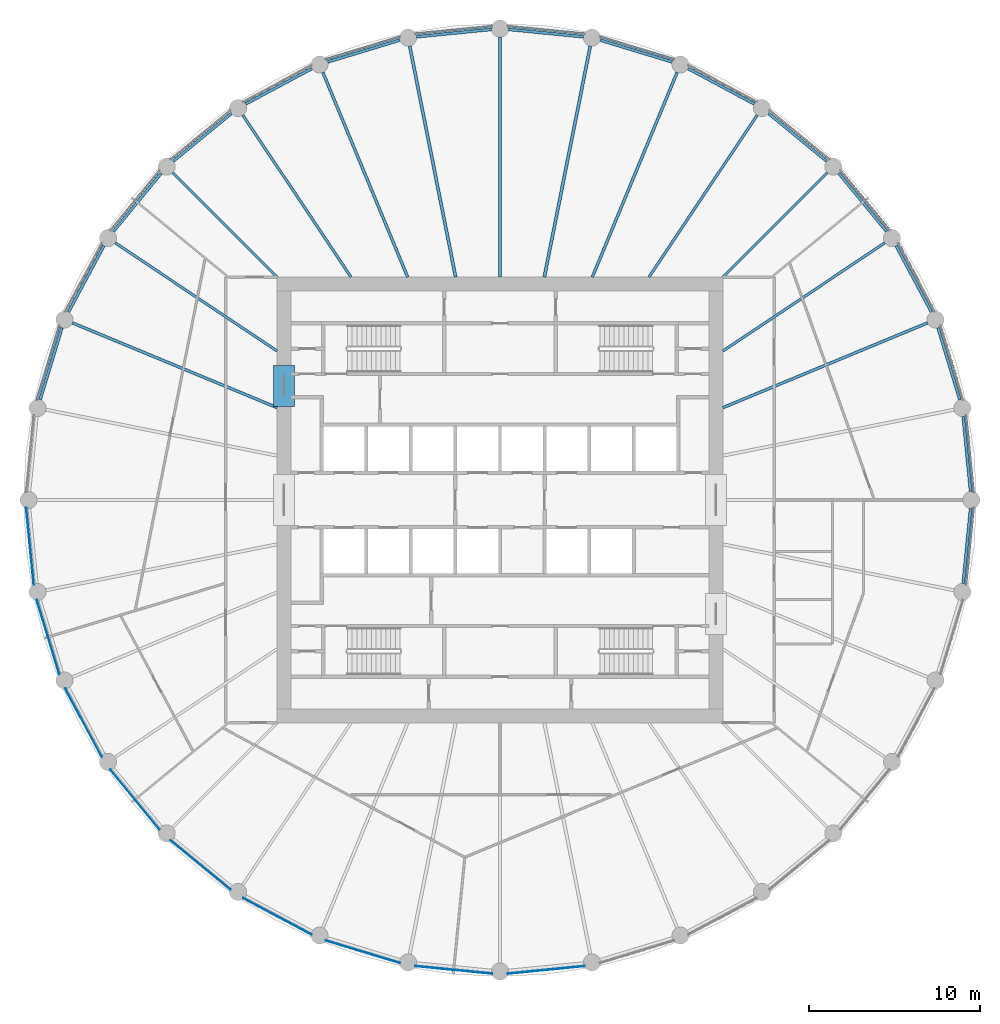
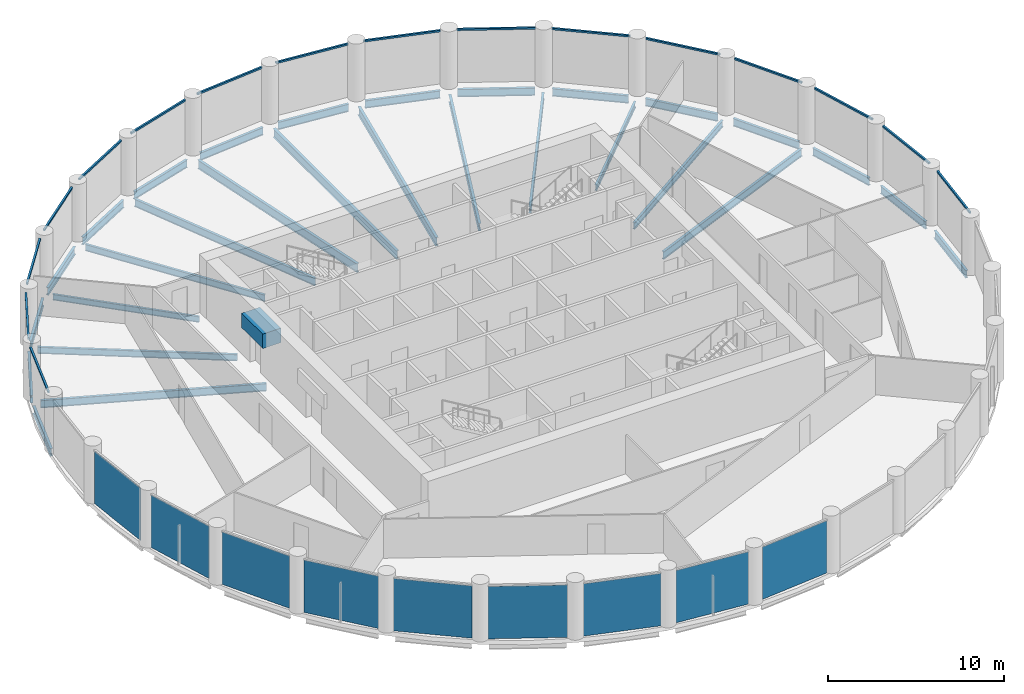
# One storey, part 2 of 8: 30 beams, 16 members, 9 plates, 25 elements without a shape of their own.
"""IFC4 building model written with IfcOpenShell, lengths in metres."""

import ifcopenshell
import ifcopenshell.guid

model = None  # the IFC model being written
_history = None  # IfcOwnerHistory: only IFC2X3 demands one
_inside = {}  # id of a spatial element -> (the spatial element, [elements in it])
_under = {}  # id of a project, library or spatial element -> (it, [spatial elements below it])
_declared = {}  # id of a project -> (the project, [libraries it declares])
_typed = {}  # id of a type object -> (the type object, [elements of that type])
_made_of = {}  # id of a material, layer set ... -> (it, [elements and type objects made of it])


def new_model(schema):
    """Start an empty IFC model of exactly this schema.

    Asked for "IFC4X3", IfcOpenShell would pick the latest addendum, in which some entities
    have other attributes; the version numbers below select the first issue.
    IFC2X3 requires an IfcOwnerHistory on every rooted entity: one is made here for all.
    """
    global model, _history
    if schema == "IFC4X3":
        model = ifcopenshell.file(schema_version=(4, 3, 0, 0))
    else:
        model = ifcopenshell.file(schema=schema)
    _inside.clear()
    _under.clear()
    _declared.clear()
    _typed.clear()
    _made_of.clear()
    _history = None
    if model.schema == "IFC2X3":
        org = make("IfcOrganization", Name="unknown")
        user = make(
            "IfcPersonAndOrganization",
            ThePerson=make("IfcPerson", FamilyName="unknown"),
            TheOrganization=org,
        )
        app = make(
            "IfcApplication",
            ApplicationDeveloper=org,
            Version="unknown",
            ApplicationFullName="unknown",
            ApplicationIdentifier="unknown",
        )
        _history = make(
            "IfcOwnerHistory",
            OwningUser=user,
            OwningApplication=app,
            ChangeAction="ADDED",
            CreationDate=0,
        )
    return model


def make(cls, **values):
    """One entity of the class cls with the attributes given. An attribute that is None is left unset."""
    return model.create_entity(
        cls, **{name: value for name, value in values.items() if value is not None}
    )


def rooted(cls, **values):
    """An entity with a GlobalId (a new one), such as an element, a storey or a relation."""
    return make(cls, GlobalId=ifcopenshell.guid.new(), OwnerHistory=_history, **values)


def si_unit(unit_type, name, prefix=None):
    """IfcSIUnit, for example si_unit("LENGTHUNIT", "METRE", prefix="MILLI")."""
    return make("IfcSIUnit", UnitType=unit_type, Prefix=prefix, Name=name)


def assignment(units):
    """IfcUnitAssignment: the units of a project."""
    return None if units is None else make("IfcUnitAssignment", Units=units)


def point(xyz):
    """IfcCartesianPoint."""
    return None if xyz is None else make("IfcCartesianPoint", Coordinates=xyz)


def direction(xyz):
    """IfcDirection."""
    return None if xyz is None else make("IfcDirection", DirectionRatios=xyz)


def frame(location, z_axis=None, x_axis=None):
    """IfcAxis2Placement3D, a coordinate frame: its origin and axes. An axis left out is left unset."""
    return make(
        "IfcAxis2Placement3D",
        Location=point(location),
        Axis=direction(z_axis),
        RefDirection=direction(x_axis),
    )


def frame_2d(location, x_axis=None):
    """IfcAxis2Placement2D, a coordinate frame in the plane: its origin and x axis."""
    return make(
        "IfcAxis2Placement2D", Location=point(location), RefDirection=direction(x_axis)
    )


def origin():
    """The frame at (0, 0, 0) with its axes left unset."""
    return frame((0.0, 0.0, 0.0))


def origin_2d():
    """The frame at (0, 0) in the plane with its x axis left unset."""
    return frame_2d((0.0, 0.0))


def place(relative_to, where):
    """IfcLocalPlacement: puts the frame where relative to a parent placement (None: the world)."""
    return make(
        "IfcLocalPlacement", PlacementRelTo=relative_to, RelativePlacement=where
    )


def context(
    kind, dimensions, precision=None, world=None, true_north=None, identifier=None
):
    """IfcGeometricRepresentationContext, for example the 3D "Model" context."""
    return make(
        "IfcGeometricRepresentationContext",
        ContextIdentifier=identifier,
        ContextType=kind,
        CoordinateSpaceDimension=dimensions,
        Precision=precision,
        WorldCoordinateSystem=world,
        TrueNorth=true_north,
    )


def subcontext(parent, identifier, kind, view, scale=None):
    """IfcGeometricRepresentationSubContext, for example "Body" below "Model"."""
    return make(
        "IfcGeometricRepresentationSubContext",
        ContextIdentifier=identifier,
        ContextType=kind,
        ParentContext=parent,
        TargetScale=scale,
        TargetView=view,
    )


def project(units=None, contexts=None):
    """IfcProject with its units and contexts."""
    return rooted(
        "IfcProject",
        Name="project",
        RepresentationContexts=contexts,
        UnitsInContext=assignment(units),
    )


def spatial(cls, under=None, at=None, **own):
    """A site, building, storey or space (cls), placed at a placement, below another one or the project."""
    s = rooted(cls, ObjectPlacement=at, **own)
    if under is not None:
        _under.setdefault(under.id(), (under, []))[1].append(s)
    return s


def profile(cls, at=None, kind="AREA", **sizes):
    """A parametric profile (cls). Its sizes go by their IFC names, for example OverallWidth=200.0."""
    return make(cls, ProfileType=kind, Position=at, **sizes)


def rectangle(**sizes):
    """IfcRectangleProfileDef."""
    return profile("IfcRectangleProfileDef", **sizes)


def i_section(**sizes):
    """IfcIShapeProfileDef."""
    return profile("IfcIShapeProfileDef", **sizes)


def extrude(swept, where, along, depth):
    """IfcExtrudedAreaSolid: the profile swept, set in the frame where, extruded along a direction by depth."""
    return make(
        "IfcExtrudedAreaSolid",
        SweptArea=swept,
        Position=where,
        ExtrudedDirection=direction(along),
        Depth=depth,
    )


def shape(context_of_items, identifier, shape_type, items):
    """IfcShapeRepresentation: the items that make up one representation, for example the "Body"."""
    return make(
        "IfcShapeRepresentation",
        ContextOfItems=context_of_items,
        RepresentationIdentifier=identifier,
        RepresentationType=shape_type,
        Items=items,
    )


def material(Name=None, Category=None):
    """IfcMaterial."""
    return make("IfcMaterial", Name=Name, Category=Category)


def layer(
    of_material, thickness, ventilated=None, Name=None, Category=None, Priority=None
):
    """IfcMaterialLayer: one layer of a wall or slab, of a material (None: an air gap)."""
    return make(
        "IfcMaterialLayer",
        Material=of_material,
        LayerThickness=thickness,
        IsVentilated=ventilated,
        Name=Name,
        Category=Category,
        Priority=Priority,
    )


def layer_set(layers, Name=None):
    """IfcMaterialLayerSet."""
    return make("IfcMaterialLayerSet", MaterialLayers=layers, LayerSetName=Name)


def material_profile(
    of_material, cross_section, Name=None, Category=None, Priority=None
):
    """IfcMaterialProfile: a cross section and its material."""
    return make(
        "IfcMaterialProfile",
        Name=Name,
        Material=of_material,
        Profile=cross_section,
        Priority=Priority,
        Category=Category,
    )


def profile_set(profiles, Name=None, composite=None):
    """IfcMaterialProfileSet."""
    return make(
        "IfcMaterialProfileSet",
        Name=Name,
        MaterialProfiles=profiles,
        CompositeProfile=composite,
    )


def made_of(thing, what):
    """Note that an element or type object is made of a material, layer set ...; save() writes the relation."""
    if what is not None:
        _made_of.setdefault(what.id(), (what, []))[1].append(thing)
    return thing


def type_object(cls, material=None, **own):
    """A type object (cls), such as IfcWallType, which elements share."""
    return made_of(rooted(cls, **own), material)


def element(
    cls,
    number,
    at=None,
    inside=None,
    cuts=None,
    type_object=None,
    material=None,
    context=None,
    identifier="Body",
    shape_type=None,
    held_by="IfcProductDefinitionShape",
    body=None,
    shapes=None,
    **own,
):
    """One element of the class cls, such as IfcWall. Its Tag is "e" and its number.

    at: its placement. inside: the storey or other place that contains it. cuts: it is an
    opening in that element (IfcRelVoidsElement). A single representation is given by context,
    identifier, shape_type and body (its items); several are given by shapes. held_by: the class
    of the entity that holds the representations. save() writes the other relations.
    """
    e = rooted(cls, Tag="e%d" % number, ObjectPlacement=at, **own)
    if body is not None:
        shapes = [shape(context, identifier, shape_type, body)]
    if shapes is not None:
        e.Representation = make(held_by, Representations=shapes)
    if inside is not None:
        _inside.setdefault(inside.id(), (inside, []))[1].append(e)
    if cuts is not None:
        rooted(
            "IfcRelVoidsElement", RelatingBuildingElement=cuts, RelatedOpeningElement=e
        )
    if type_object is not None:
        _typed.setdefault(type_object.id(), (type_object, []))[1].append(e)
    return made_of(e, material)


def aggregate(whole, parts):
    """IfcRelAggregates: a whole, such as a stair, and the parts it consists of."""
    return rooted("IfcRelAggregates", RelatingObject=whole, RelatedObjects=parts)


def save(model, path):
    """Write the relations noted so far, then the file.

    IfcRelAggregates (storeys below a building ...), IfcRelContainedInSpatialStructure (elements
    in a storey), IfcRelDefinesByType, IfcRelAssociatesMaterial and IfcRelDeclares: one each for
    every whole, place, type object, material and project.
    """
    for whole, parts in _under.values():
        aggregate(whole, parts)
    for where, things in _inside.values():
        rooted(
            "IfcRelContainedInSpatialStructure",
            RelatedElements=things,
            RelatingStructure=where,
        )
    for kind, things in _typed.values():
        rooted("IfcRelDefinesByType", RelatedObjects=things, RelatingType=kind)
    for what, things in _made_of.values():
        rooted("IfcRelAssociatesMaterial", RelatedObjects=things, RelatingMaterial=what)
    for by, libraries in _declared.values():
        rooted("IfcRelDeclares", RelatingContext=by, RelatedDefinitions=libraries)
    model.write(path)


model = new_model("IFC4")

# Units and contexts
model_context = context("Model", 3, precision=1e-05, world=origin(), true_north=direction((0.0, 1.0)))
body_context = subcontext(model_context, "Body", "Model", "MODEL_VIEW")
ifc_project = project(units=[si_unit("LENGTHUNIT", "METRE"), si_unit("AREAUNIT", "SQUARE_METRE"), si_unit("VOLUMEUNIT", "CUBIC_METRE"), si_unit("PLANEANGLEUNIT", "RADIAN"), si_unit("MASSUNIT", "GRAM", prefix="KILO")], contexts=[model_context])

# Site, building, storey
site_placement = place(None, origin())
site = spatial("IfcSite", under=ifc_project, at=site_placement, CompositionType="ELEMENT")
building_placement = place(site_placement, origin())
building = spatial("IfcBuilding", under=site, at=building_placement, Name="Corvane Civic Tower", CompositionType="ELEMENT")
storey_placement = place(building_placement, frame((0.0, 0.0, 209.5)))
storey = spatial("IfcBuildingStorey", under=building, at=storey_placement, Name="L49", CompositionType="ELEMENT", Elevation=209.5)

# Beams
ifc_material_1 = material(Name="Concrete C50/60", Category="concrete")
ifc_material_profile_1 = material_profile(ifc_material_1, rectangle(XDim=1.199951171875, YDim=1.0, at=origin_2d()), Name="COUPLING BEAM 1200X1000")
ifc_profile_set_1 = profile_set([ifc_material_profile_1], Name="Concrete C50/60")
beam_type_1 = type_object("IfcBeamType", Name="COUPLING BEAM COUPLING BEAM 1200X1000", PredefinedType="BEAM", material=ifc_profile_set_1)
beam_1_placement = place(storey_placement, frame((-12.60009765625, 5.449951171875, 2.60009765625), z_axis=(0.0, 1.0, 0.0), x_axis=(-1.0, 0.0, 0.0)))
element("IfcBeam", 1, at=beam_1_placement, inside=storey, type_object=beam_type_1, Name="BM-L49-cpl-CW-WN", PredefinedType="BEAM", context=body_context, shape_type="SweptSolid", body=[
    extrude(rectangle(XDim=1.199951171875, YDim=1.0, at=origin_2d()), origin(), (0.0, 0.0, 1.0), 2.400146484375),
])
ifc_material_2 = material(Name="Steel ASTM A992 Gr 50", Category="steel")
ifc_material_profile_2 = material_profile(ifc_material_2, i_section(OverallWidth=0.165771484375, OverallDepth=0.5283203125, WebThickness=0.009765625, FlangeThickness=0.013671875, at=origin_2d()), Name="W21X50")
ifc_profile_set_2 = profile_set([ifc_material_profile_2], Name="Steel ASTM A992 Gr 50")
beam_type_2 = type_object("IfcBeamType", Name="EDGE BEAM W21X50", PredefinedType="BEAM", material=ifc_profile_set_2)
beam_2_placement = place(storey_placement, frame((0.49755859375, 27.450927734375, -0.564208984375), z_axis=(0.995189593769, -0.097967711281, 0.0), x_axis=(0.097967711281, 0.995189593769, 0.0)))
element("IfcBeam", 2, at=beam_2_placement, inside=storey, type_object=beam_type_2, Name="BM-L49-E01", PredefinedType="BEAM", context=body_context, shape_type="SweptSolid", body=[
    extrude(i_section(OverallWidth=0.165771484375, OverallDepth=0.5283203125, WebThickness=0.009765625, FlangeThickness=0.013671875, at=origin_2d()), origin(), (0.0, 0.0, 1.0), 4.39111328125),
])
beam_3_placement = place(storey_placement, frame((5.843505859375, 26.826416015625, -0.564208984375), z_axis=(0.956949547653, -0.290254307888, 0.0), x_axis=(0.290254307888, 0.956949547653, 0.0)))
element("IfcBeam", 3, at=beam_3_placement, inside=storey, type_object=beam_type_2, Name="BM-L49-E02", PredefinedType="BEAM", context=body_context, shape_type="SweptSolid", body=[
    extrude(i_section(OverallWidth=0.165771484375, OverallDepth=0.5283203125, WebThickness=0.009765625, FlangeThickness=0.013671875, at=origin_2d()), origin(), (0.0, 0.0, 1.0), 4.390625),
])
for number, where, z_axis, x_axis, name in (
    (4, (10.964599609375, 25.171142578125, -0.564208984375), (0.881907756852, -0.471422006704, 0.0), (0.471422006704, 0.881907756852, 0.0), "BM-L49-E03"),
    (5, (15.66455078125, 22.54833984375, -0.564208984375), (0.773030026524, -0.634369433447, 0.0), (0.634369433447, 0.773030026524, 0.0), "BM-L49-E04"),
    (6, (19.7626953125, 19.05908203125, -0.564208984375), (0.634369433447, -0.773030026524, 0.0), (0.773030026524, 0.634369433447, 0.0), "BM-L49-E05"),
    (7, (23.10107421875, 14.837158203125, -0.564208984375), (0.471422006704, -0.881907756852, 0.0), (0.881907756852, 0.471422006704, 0.0), "BM-L49-E06"),
):
    element("IfcBeam", number, at=place(storey_placement, frame(where, z_axis=z_axis, x_axis=x_axis)), inside=storey, type_object=beam_type_2, Name=name, PredefinedType="BEAM", context=body_context, shape_type="SweptSolid", body=[
        extrude(i_section(OverallWidth=0.165771484375, OverallDepth=0.5283203125, WebThickness=0.009765625, FlangeThickness=0.013671875, at=origin_2d()), origin(), (0.0, 0.0, 1.0), 4.39111328125),
    ])
beam_4_placement = place(storey_placement, frame((25.552001953125, 10.045166015625, -0.564208984375), z_axis=(0.290254307888, -0.956949547653, 0.0), x_axis=(0.956949547653, 0.290254307888, 0.0)))
element("IfcBeam", 8, at=beam_4_placement, inside=storey, type_object=beam_type_2, Name="BM-L49-E07", PredefinedType="BEAM", context=body_context, shape_type="SweptSolid", body=[
    extrude(i_section(OverallWidth=0.165771484375, OverallDepth=0.5283203125, WebThickness=0.009765625, FlangeThickness=0.013671875, at=origin_2d()), origin(), (0.0, 0.0, 1.0), 4.390625),
])
for number, where, z_axis, x_axis, name in (
    (9, (27.020751953125, 4.867431640625, -0.564208984375), (0.097967711281, -0.995189593769, 0.0), (0.995189593769, 0.097967711281, 0.0), "BM-L49-E08"),
    (10, (27.450927734375, -0.49755859375, -0.564208984375), (-0.097967711281, -0.995189593769, 0.0), (0.995189593769, -0.097967711281, 0.0), "BM-L49-E09"),
):
    element("IfcBeam", number, at=place(storey_placement, frame(where, z_axis=z_axis, x_axis=x_axis)), inside=storey, type_object=beam_type_2, Name=name, PredefinedType="BEAM", context=body_context, shape_type="SweptSolid", body=[
        extrude(i_section(OverallWidth=0.165771484375, OverallDepth=0.5283203125, WebThickness=0.009765625, FlangeThickness=0.013671875, at=origin_2d()), origin(), (0.0, 0.0, 1.0), 4.39111328125),
    ])
beam_5_placement = place(storey_placement, frame((-26.826416015625, 5.843505859375, -0.564208984375), z_axis=(0.290254307888, 0.956949547653, 0.0), x_axis=(-0.956949547653, 0.290254307888, 0.0)))
element("IfcBeam", 11, at=beam_5_placement, inside=storey, type_object=beam_type_2, Name="BM-L49-E26", PredefinedType="BEAM", context=body_context, shape_type="SweptSolid", body=[
    extrude(i_section(OverallWidth=0.165771484375, OverallDepth=0.5283203125, WebThickness=0.009765625, FlangeThickness=0.013671875, at=origin_2d()), origin(), (0.0, 0.0, 1.0), 4.390625),
])
for number, where, z_axis, x_axis, name in (
    (12, (-25.171142578125, 10.964599609375, -0.564208984375), (0.471422006704, 0.881907756852, 0.0), (-0.881907756852, 0.471422006704, 0.0), "BM-L49-E27"),
    (13, (-22.54833984375, 15.66455078125, -0.564208984375), (0.634369433447, 0.773030026524, 0.0), (-0.773030026524, 0.634369433447, 0.0), "BM-L49-E28"),
    (14, (-19.05908203125, 19.7626953125, -0.564208984375), (0.773030026524, 0.634369433447, 0.0), (-0.634369433447, 0.773030026524, 0.0), "BM-L49-E29"),
    (15, (-14.837158203125, 23.10107421875, -0.564208984375), (0.881907756852, 0.471422006704, 0.0), (-0.471422006704, 0.881907756852, 0.0), "BM-L49-E30"),
):
    element("IfcBeam", number, at=place(storey_placement, frame(where, z_axis=z_axis, x_axis=x_axis)), inside=storey, type_object=beam_type_2, Name=name, PredefinedType="BEAM", context=body_context, shape_type="SweptSolid", body=[
        extrude(i_section(OverallWidth=0.165771484375, OverallDepth=0.5283203125, WebThickness=0.009765625, FlangeThickness=0.013671875, at=origin_2d()), origin(), (0.0, 0.0, 1.0), 4.39111328125),
    ])
beam_6_placement = place(storey_placement, frame((-10.045166015625, 25.552001953125, -0.564208984375), z_axis=(0.956949547653, 0.290254307888, 0.0), x_axis=(-0.290254307888, 0.956949547653, 0.0)))
element("IfcBeam", 16, at=beam_6_placement, inside=storey, type_object=beam_type_2, Name="BM-L49-E31", PredefinedType="BEAM", context=body_context, shape_type="SweptSolid", body=[
    extrude(i_section(OverallWidth=0.165771484375, OverallDepth=0.5283203125, WebThickness=0.009765625, FlangeThickness=0.013671875, at=origin_2d()), origin(), (0.0, 0.0, 1.0), 4.390625),
])
beam_7_placement = place(storey_placement, frame((-4.867431640625, 27.020751953125, -0.564208984375), z_axis=(0.995189593769, 0.097967711281, 0.0), x_axis=(-0.097967711281, 0.995189593769, 0.0)))
element("IfcBeam", 17, at=beam_7_placement, inside=storey, type_object=beam_type_2, Name="BM-L49-E32", PredefinedType="BEAM", context=body_context, shape_type="SweptSolid", body=[
    extrude(i_section(OverallWidth=0.165771484375, OverallDepth=0.5283203125, WebThickness=0.009765625, FlangeThickness=0.013671875, at=origin_2d()), origin(), (0.0, 0.0, 1.0), 4.39111328125),
])
ifc_material_3 = material(Name="Steel ASTM A992 Gr 50", Category="steel")
ifc_material_profile_3 = material_profile(ifc_material_3, i_section(OverallWidth=0.140380859375, OverallDepth=0.40380859375, WebThickness=0.007080078125, FlangeThickness=0.01123046875, at=origin_2d()), Name="W16X31")
ifc_profile_set_3 = profile_set([ifc_material_profile_3], Name="Steel ASTM A992 Gr 50")
beam_type_3 = type_object("IfcBeamType", Name="FLOOR GIRDER W16X31", PredefinedType="BEAM", material=ifc_profile_set_3)
for number, where, z_axis, x_axis, name in (
    (18, (13.0, 13.0, -0.501953125), (0.707106781187, 0.707106781187, 0.0), (-0.707106781187, 0.707106781187, 0.0), "BM-L49-G05"),
    (19, (-13.0, 13.0, -0.501953125), (-0.707106781187, 0.707106781187, 0.0), (-0.707106781187, -0.707106781187, 0.0), "BM-L49-G29"),
):
    element("IfcBeam", number, at=place(storey_placement, frame(where, z_axis=z_axis, x_axis=x_axis)), inside=storey, type_object=beam_type_3, Name=name, PredefinedType="BEAM", context=body_context, shape_type="SweptSolid", body=[
        extrude(i_section(OverallWidth=0.140380859375, OverallDepth=0.40380859375, WebThickness=0.007080078125, FlangeThickness=0.01123046875, at=origin_2d()), origin(), (0.0, 0.0, 1.0), 8.614990234375),
    ])
ifc_material_4 = material(Name="Steel ASTM A992 Gr 50", Category="steel")
ifc_material_profile_4 = material_profile(ifc_material_4, i_section(OverallWidth=0.15283203125, OverallDepth=0.45458984375, WebThickness=0.008056640625, FlangeThickness=0.013427734375, at=origin_2d()), Name="W18X40")
ifc_profile_set_4 = profile_set([ifc_material_profile_4], Name="Steel ASTM A992 Gr 50")
beam_type_4 = type_object("IfcBeamType", Name="FLOOR GIRDER W18X40", PredefinedType="BEAM", material=ifc_profile_set_4)
for number, where, z_axis, x_axis, name in (
    (20, (8.686279296875, 13.0, -0.52734375), (0.555577326485, 0.831464872557, 0.0), (-0.831464872557, 0.555577326485, 0.0), "BM-L49-G04"),
    (21, (13.0, 8.686279296875, -0.52734375), (0.831464872557, 0.555577326485, 0.0), (-0.555577326485, 0.831464872557, 0.0), "BM-L49-G06"),
    (22, (-13.0, 8.686279296875, -0.52734375), (-0.831464872557, 0.555577326485, 0.0), (-0.555577326485, -0.831464872557, 0.0), "BM-L49-G28"),
    (23, (-8.686279296875, 13.0, -0.52734375), (-0.555577326485, 0.831464872557, 0.0), (-0.831464872557, -0.555577326485, 0.0), "BM-L49-G30"),
):
    element("IfcBeam", number, at=place(storey_placement, frame(where, z_axis=z_axis, x_axis=x_axis)), inside=storey, type_object=beam_type_4, Name=name, PredefinedType="BEAM", context=body_context, shape_type="SweptSolid", body=[
        extrude(i_section(OverallWidth=0.15283203125, OverallDepth=0.45458984375, WebThickness=0.008056640625, FlangeThickness=0.013427734375, at=origin_2d()), origin(), (0.0, 0.0, 1.0), 11.365234375),
    ])
ifc_material_5 = material(Name="Steel ASTM A992 Gr 50", Category="steel")
ifc_material_profile_5 = material_profile(ifc_material_5, i_section(OverallWidth=0.165771484375, OverallDepth=0.5283203125, WebThickness=0.009765625, FlangeThickness=0.013671875, at=origin_2d()), Name="W21X50")
ifc_profile_set_5 = profile_set([ifc_material_profile_5], Name="Steel ASTM A992 Gr 50")
beam_type_5 = type_object("IfcBeamType", Name="FLOOR GIRDER W21X50", PredefinedType="BEAM", material=ifc_profile_set_5)
for number, where, z_axis, x_axis, name in (
    (24, (5.384765625, 13.0, -0.564208984375), (0.382686450378, 0.923878282404, 0.0), (-0.923878282404, 0.382686450378, 0.0), "BM-L49-G03"),
    (25, (13.0, 5.384765625, -0.564208984375), (0.923878282404, 0.382686450378, 0.0), (-0.382686450378, 0.923878282404, 0.0), "BM-L49-G07"),
    (26, (-13.0, 5.384765625, -0.564208984375), (-0.923878282404, 0.382686450378, 0.0), (-0.382686450378, -0.923878282404, 0.0), "BM-L49-G27"),
    (27, (-5.384765625, 13.0, -0.564208984375), (-0.382686450378, 0.923878282404, 0.0), (-0.923878282404, -0.382686450378, 0.0), "BM-L49-G31"),
):
    element("IfcBeam", number, at=place(storey_placement, frame(where, z_axis=z_axis, x_axis=x_axis)), inside=storey, type_object=beam_type_5, Name=name, PredefinedType="BEAM", context=body_context, shape_type="SweptSolid", body=[
        extrude(i_section(OverallWidth=0.165771484375, OverallDepth=0.5283203125, WebThickness=0.009765625, FlangeThickness=0.013671875, at=origin_2d()), origin(), (0.0, 0.0, 1.0), 12.928955078125),
    ])
ifc_material_6 = material(Name="Steel ASTM A992 Gr 50", Category="steel")
ifc_material_profile_6 = material_profile(ifc_material_6, i_section(OverallWidth=0.177978515625, OverallDepth=0.599365234375, WebThickness=0.010009765625, FlangeThickness=0.012939453125, at=origin_2d()), Name="W24X55")
ifc_profile_set_6 = profile_set([ifc_material_profile_6], Name="Steel ASTM A992 Gr 50")
beam_type_6 = type_object("IfcBeamType", Name="FLOOR GIRDER W24X55", PredefinedType="BEAM", material=ifc_profile_set_6)
beam_8_placement = place(storey_placement, frame((0.0, 13.0, -0.599609375), z_axis=(0.0, 1.0, 0.0), x_axis=(-1.0, 0.0, 0.0)))
element("IfcBeam", 28, at=beam_8_placement, inside=storey, type_object=beam_type_6, Name="BM-L49-G01", PredefinedType="BEAM", context=body_context, shape_type="SweptSolid", body=[
    extrude(i_section(OverallWidth=0.177978515625, OverallDepth=0.599365234375, WebThickness=0.010009765625, FlangeThickness=0.012939453125, at=origin_2d()), origin(), (0.0, 0.0, 1.0), 14.0),
])
for number, where, z_axis, x_axis, name in (
    (29, (2.5859375, 13.0, -0.599609375), (0.195077644118, 0.980787802109, 0.0), (-0.980787802109, 0.195077644118, 0.0), "BM-L49-G02"),
    (30, (-2.5859375, 13.0, -0.599609375), (-0.195077644118, 0.980787802109, 0.0), (-0.980787802109, -0.195077644118, 0.0), "BM-L49-G32"),
):
    element("IfcBeam", number, at=place(storey_placement, frame(where, z_axis=z_axis, x_axis=x_axis)), inside=storey, type_object=beam_type_6, Name=name, PredefinedType="BEAM", context=body_context, shape_type="SweptSolid", body=[
        extrude(i_section(OverallWidth=0.177978515625, OverallDepth=0.599365234375, WebThickness=0.010009765625, FlangeThickness=0.012939453125, at=origin_2d()), origin(), (0.0, 0.0, 1.0), 13.745361328125),
    ])

# Curtain wall, member
ifc_material_7 = material(Name="Anodised aluminium bronze", Category="aluminium")
curtain_wall_type = type_object("IfcCurtainWallType", Name="TOWER CW-T2 STICK CURTAIN WALL", PredefinedType="NOTDEFINED", material=ifc_material_7)
curtain_wall_1_placement = place(storey_placement, origin())
curtain_wall_1 = element("IfcCurtainWall", 31, at=curtain_wall_1_placement, inside=storey, type_object=curtain_wall_type, Name="Curtain wall CW-T2 L49 bay 01", PredefinedType="NOTDEFINED")
ifc_material_8 = material(Name="Anodised aluminium bronze", Category="aluminium")
ifc_material_profile_7 = material_profile(ifc_material_8, rectangle(XDim=0.1201171875, YDim=0.1201171875, at=origin_2d()), Name="TOWER CW-T2 TRANSOM 120x120")
ifc_profile_set_7 = profile_set([ifc_material_profile_7], Name="Anodised aluminium bronze")
member_type = type_object("IfcMemberType", Name="TOWER CW-T2 TRANSOM 120x120", PredefinedType="USERDEFINED", material=ifc_profile_set_7)
member_1_placement = place(storey_placement, frame((0.452392578125, 27.635498046875, 3.68994140625), z_axis=(0.995182207386, -0.098042715701, 0.0), x_axis=(0.098042715701, 0.995182207386, 0.0)))
member_1 = element("IfcMember", 32, at=member_1_placement, type_object=member_type, Name="Transom CW-T2 L49 01.1", ObjectType="TRANSOM", PredefinedType="USERDEFINED", context=body_context, shape_type="SweptSolid", body=[
    extrude(rectangle(XDim=0.1201171875, YDim=0.1201171875, at=origin_2d()), origin(), (0.0, 0.0, 1.0), 4.51708984375),
])
aggregate(curtain_wall_1, [member_1])

curtain_wall_2_placement = place(storey_placement, origin())
curtain_wall_2 = element("IfcCurtainWall", 33, at=curtain_wall_2_placement, inside=storey, type_object=curtain_wall_type, Name="Curtain wall CW-T2 L49 bay 02", PredefinedType="NOTDEFINED")
member_2_placement = place(storey_placement, frame((5.8349609375, 27.016357421875, 3.68994140625), z_axis=(0.956941182173, -0.2902818869, 0.0), x_axis=(0.2902818869, 0.956941182173, 0.0)))
member_2 = element("IfcMember", 34, at=member_2_placement, type_object=member_type, Name="Transom CW-T2 L49 02.1", ObjectType="TRANSOM", PredefinedType="USERDEFINED", context=body_context, shape_type="SweptSolid", body=[
    extrude(rectangle(XDim=0.1201171875, YDim=0.1201171875, at=origin_2d()), origin(), (0.0, 0.0, 1.0), 4.517333984375),
])
aggregate(curtain_wall_2, [member_2])

curtain_wall_3_placement = place(storey_placement, origin())
curtain_wall_3 = element("IfcCurtainWall", 35, at=curtain_wall_3_placement, inside=storey, type_object=curtain_wall_type, Name="Curtain wall CW-T2 L49 bay 03", PredefinedType="NOTDEFINED")
member_3_placement = place(storey_placement, frame((10.993408203125, 25.35888671875, 3.68994140625), z_axis=(0.881924695689, -0.471390317183, 0.0), x_axis=(0.471390317183, 0.881924695689, 0.0)))
member_3 = element("IfcMember", 36, at=member_3_placement, type_object=member_type, Name="Transom CW-T2 L49 03.1", ObjectType="TRANSOM", PredefinedType="USERDEFINED", context=body_context, shape_type="SweptSolid", body=[
    extrude(rectangle(XDim=0.1201171875, YDim=0.1201171875, at=origin_2d()), origin(), (0.0, 0.0, 1.0), 4.517333984375),
])
aggregate(curtain_wall_3, [member_3])

curtain_wall_4_placement = place(storey_placement, origin())
curtain_wall_4 = element("IfcCurtainWall", 37, at=curtain_wall_4_placement, inside=storey, type_object=curtain_wall_type, Name="Curtain wall CW-T2 L49 bay 04", PredefinedType="NOTDEFINED")
member_4_placement = place(storey_placement, frame((15.7294921875, 22.726806640625, 3.68994140625), z_axis=(0.773014925698, -0.634387834569, 0.0), x_axis=(0.634387834569, 0.773014925698, 0.0)))
member_4 = element("IfcMember", 38, at=member_4_placement, type_object=member_type, Name="Transom CW-T2 L49 04.1", ObjectType="TRANSOM", PredefinedType="USERDEFINED", context=body_context, shape_type="SweptSolid", body=[
    extrude(rectangle(XDim=0.1201171875, YDim=0.1201171875, at=origin_2d()), origin(), (0.0, 0.0, 1.0), 4.517333984375),
])
aggregate(curtain_wall_4, [member_4])

curtain_wall_5_placement = place(storey_placement, origin())
curtain_wall_5 = element("IfcCurtainWall", 39, at=curtain_wall_5_placement, inside=storey, type_object=curtain_wall_type, Name="Curtain wall CW-T2 L49 bay 05", PredefinedType="NOTDEFINED")
member_5_placement = place(storey_placement, frame((19.861083984375, 19.221435546875, 3.68994140625), z_axis=(0.634387834569, -0.773014925698, 0.0), x_axis=(0.773014925698, 0.634387834569, 0.0)))
member_5 = element("IfcMember", 40, at=member_5_placement, type_object=member_type, Name="Transom CW-T2 L49 05.1", ObjectType="TRANSOM", PredefinedType="USERDEFINED", context=body_context, shape_type="SweptSolid", body=[
    extrude(rectangle(XDim=0.1201171875, YDim=0.1201171875, at=origin_2d()), origin(), (0.0, 0.0, 1.0), 4.517333984375),
])
aggregate(curtain_wall_5, [member_5])

curtain_wall_6_placement = place(storey_placement, origin())
curtain_wall_6 = element("IfcCurtainWall", 41, at=curtain_wall_6_placement, inside=storey, type_object=curtain_wall_type, Name="Curtain wall CW-T2 L49 bay 06", PredefinedType="NOTDEFINED")
member_6_placement = place(storey_placement, frame((23.2294921875, 14.977294921875, 3.68994140625), z_axis=(0.471390317183, -0.881924695689, 0.0), x_axis=(0.881924695689, 0.471390317183, 0.0)))
member_6 = element("IfcMember", 42, at=member_6_placement, type_object=member_type, Name="Transom CW-T2 L49 06.1", ObjectType="TRANSOM", PredefinedType="USERDEFINED", context=body_context, shape_type="SweptSolid", body=[
    extrude(rectangle(XDim=0.1201171875, YDim=0.1201171875, at=origin_2d()), origin(), (0.0, 0.0, 1.0), 4.517333984375),
])
aggregate(curtain_wall_6, [member_6])

curtain_wall_7_placement = place(storey_placement, origin())
curtain_wall_7 = element("IfcCurtainWall", 43, at=curtain_wall_7_placement, inside=storey, type_object=curtain_wall_type, Name="Curtain wall CW-T2 L49 bay 07", PredefinedType="NOTDEFINED")
member_7_placement = place(storey_placement, frame((25.705078125, 10.15771484375, 3.68994140625), z_axis=(0.2902818869, -0.956941182173, 0.0), x_axis=(0.956941182173, 0.2902818869, 0.0)))
member_7 = element("IfcMember", 44, at=member_7_placement, type_object=member_type, Name="Transom CW-T2 L49 07.1", ObjectType="TRANSOM", PredefinedType="USERDEFINED", context=body_context, shape_type="SweptSolid", body=[
    extrude(rectangle(XDim=0.1201171875, YDim=0.1201171875, at=origin_2d()), origin(), (0.0, 0.0, 1.0), 4.517333984375),
])
aggregate(curtain_wall_7, [member_7])

curtain_wall_8_placement = place(storey_placement, origin())
curtain_wall_8 = element("IfcCurtainWall", 45, at=curtain_wall_8_placement, inside=storey, type_object=curtain_wall_type, Name="Curtain wall CW-T2 L49 bay 08", PredefinedType="NOTDEFINED")
member_8_placement = place(storey_placement, frame((27.192626953125, 4.94775390625, 3.68994140625), z_axis=(0.098042715701, -0.995182207386, 0.0), x_axis=(0.995182207386, 0.098042715701, 0.0)))
member_8 = element("IfcMember", 46, at=member_8_placement, type_object=member_type, Name="Transom CW-T2 L49 08.1", ObjectType="TRANSOM", PredefinedType="USERDEFINED", context=body_context, shape_type="SweptSolid", body=[
    extrude(rectangle(XDim=0.1201171875, YDim=0.1201171875, at=origin_2d()), origin(), (0.0, 0.0, 1.0), 4.51708984375),
])
aggregate(curtain_wall_8, [member_8])

curtain_wall_9_placement = place(storey_placement, origin())
curtain_wall_9 = element("IfcCurtainWall", 47, at=curtain_wall_9_placement, inside=storey, type_object=curtain_wall_type, Name="Curtain wall CW-T2 L49 bay 09", PredefinedType="NOTDEFINED")
member_9_placement = place(storey_placement, frame((27.635498046875, -0.452392578125, 3.68994140625), z_axis=(-0.098042715701, -0.995182207386, 0.0), x_axis=(0.995182207386, -0.098042715701, 0.0)))
member_9 = element("IfcMember", 48, at=member_9_placement, type_object=member_type, Name="Transom CW-T2 L49 09.1", ObjectType="TRANSOM", PredefinedType="USERDEFINED", context=body_context, shape_type="SweptSolid", body=[
    extrude(rectangle(XDim=0.1201171875, YDim=0.1201171875, at=origin_2d()), origin(), (0.0, 0.0, 1.0), 4.51708984375),
])
aggregate(curtain_wall_9, [member_9])

curtain_wall_10_placement = place(storey_placement, origin())
curtain_wall_10 = element("IfcCurtainWall", 49, at=curtain_wall_10_placement, inside=storey, type_object=curtain_wall_type, Name="Curtain wall CW-T2 L49 bay 26", PredefinedType="NOTDEFINED")
member_10_placement = place(storey_placement, frame((-27.016357421875, 5.8349609375, 3.68994140625), z_axis=(0.2902818869, 0.956941182173, 0.0), x_axis=(-0.956941182173, 0.2902818869, 0.0)))
member_10 = element("IfcMember", 50, at=member_10_placement, type_object=member_type, Name="Transom CW-T2 L49 26.1", ObjectType="TRANSOM", PredefinedType="USERDEFINED", context=body_context, shape_type="SweptSolid", body=[
    extrude(rectangle(XDim=0.1201171875, YDim=0.1201171875, at=origin_2d()), origin(), (0.0, 0.0, 1.0), 4.517333984375),
])
aggregate(curtain_wall_10, [member_10])

curtain_wall_11_placement = place(storey_placement, origin())
curtain_wall_11 = element("IfcCurtainWall", 51, at=curtain_wall_11_placement, inside=storey, type_object=curtain_wall_type, Name="Curtain wall CW-T2 L49 bay 27", PredefinedType="NOTDEFINED")
member_11_placement = place(storey_placement, frame((-25.35888671875, 10.993408203125, 3.68994140625), z_axis=(0.471390317183, 0.881924695689, 0.0), x_axis=(-0.881924695689, 0.471390317183, 0.0)))
member_11 = element("IfcMember", 52, at=member_11_placement, type_object=member_type, Name="Transom CW-T2 L49 27.1", ObjectType="TRANSOM", PredefinedType="USERDEFINED", context=body_context, shape_type="SweptSolid", body=[
    extrude(rectangle(XDim=0.1201171875, YDim=0.1201171875, at=origin_2d()), origin(), (0.0, 0.0, 1.0), 4.517333984375),
])
aggregate(curtain_wall_11, [member_11])

curtain_wall_12_placement = place(storey_placement, origin())
curtain_wall_12 = element("IfcCurtainWall", 53, at=curtain_wall_12_placement, inside=storey, type_object=curtain_wall_type, Name="Curtain wall CW-T2 L49 bay 28", PredefinedType="NOTDEFINED")
member_12_placement = place(storey_placement, frame((-22.726806640625, 15.7294921875, 3.68994140625), z_axis=(0.634387834569, 0.773014925698, 0.0), x_axis=(-0.773014925698, 0.634387834569, 0.0)))
member_12 = element("IfcMember", 54, at=member_12_placement, type_object=member_type, Name="Transom CW-T2 L49 28.1", ObjectType="TRANSOM", PredefinedType="USERDEFINED", context=body_context, shape_type="SweptSolid", body=[
    extrude(rectangle(XDim=0.1201171875, YDim=0.1201171875, at=origin_2d()), origin(), (0.0, 0.0, 1.0), 4.517333984375),
])
aggregate(curtain_wall_12, [member_12])

curtain_wall_13_placement = place(storey_placement, origin())
curtain_wall_13 = element("IfcCurtainWall", 55, at=curtain_wall_13_placement, inside=storey, type_object=curtain_wall_type, Name="Curtain wall CW-T2 L49 bay 29", PredefinedType="NOTDEFINED")
member_13_placement = place(storey_placement, frame((-19.221435546875, 19.861083984375, 3.68994140625), z_axis=(0.773014925698, 0.634387834569, 0.0), x_axis=(-0.634387834569, 0.773014925698, 0.0)))
member_13 = element("IfcMember", 56, at=member_13_placement, type_object=member_type, Name="Transom CW-T2 L49 29.1", ObjectType="TRANSOM", PredefinedType="USERDEFINED", context=body_context, shape_type="SweptSolid", body=[
    extrude(rectangle(XDim=0.1201171875, YDim=0.1201171875, at=origin_2d()), origin(), (0.0, 0.0, 1.0), 4.517333984375),
])
aggregate(curtain_wall_13, [member_13])

curtain_wall_14_placement = place(storey_placement, origin())
curtain_wall_14 = element("IfcCurtainWall", 57, at=curtain_wall_14_placement, inside=storey, type_object=curtain_wall_type, Name="Curtain wall CW-T2 L49 bay 30", PredefinedType="NOTDEFINED")
member_14_placement = place(storey_placement, frame((-14.977294921875, 23.2294921875, 3.68994140625), z_axis=(0.881924695689, 0.471390317183, 0.0), x_axis=(-0.471390317183, 0.881924695689, 0.0)))
member_14 = element("IfcMember", 58, at=member_14_placement, type_object=member_type, Name="Transom CW-T2 L49 30.1", ObjectType="TRANSOM", PredefinedType="USERDEFINED", context=body_context, shape_type="SweptSolid", body=[
    extrude(rectangle(XDim=0.1201171875, YDim=0.1201171875, at=origin_2d()), origin(), (0.0, 0.0, 1.0), 4.517333984375),
])
aggregate(curtain_wall_14, [member_14])

curtain_wall_15_placement = place(storey_placement, origin())
curtain_wall_15 = element("IfcCurtainWall", 59, at=curtain_wall_15_placement, inside=storey, type_object=curtain_wall_type, Name="Curtain wall CW-T2 L49 bay 31", PredefinedType="NOTDEFINED")
member_15_placement = place(storey_placement, frame((-10.15771484375, 25.705078125, 3.68994140625), z_axis=(0.956941182173, 0.2902818869, 0.0), x_axis=(-0.2902818869, 0.956941182173, 0.0)))
member_15 = element("IfcMember", 60, at=member_15_placement, type_object=member_type, Name="Transom CW-T2 L49 31.1", ObjectType="TRANSOM", PredefinedType="USERDEFINED", context=body_context, shape_type="SweptSolid", body=[
    extrude(rectangle(XDim=0.1201171875, YDim=0.1201171875, at=origin_2d()), origin(), (0.0, 0.0, 1.0), 4.517333984375),
])
aggregate(curtain_wall_15, [member_15])

curtain_wall_16_placement = place(storey_placement, origin())
curtain_wall_16 = element("IfcCurtainWall", 61, at=curtain_wall_16_placement, inside=storey, type_object=curtain_wall_type, Name="Curtain wall CW-T2 L49 bay 32", PredefinedType="NOTDEFINED")
member_16_placement = place(storey_placement, frame((-4.94775390625, 27.192626953125, 3.68994140625), z_axis=(0.995182207386, 0.098042715701, 0.0), x_axis=(-0.098042715701, 0.995182207386, 0.0)))
member_16 = element("IfcMember", 62, at=member_16_placement, type_object=member_type, Name="Transom CW-T2 L49 32.1", ObjectType="TRANSOM", PredefinedType="USERDEFINED", context=body_context, shape_type="SweptSolid", body=[
    extrude(rectangle(XDim=0.1201171875, YDim=0.1201171875, at=origin_2d()), origin(), (0.0, 0.0, 1.0), 4.51708984375),
])
aggregate(curtain_wall_16, [member_16])

# Curtain wall, plate
curtain_wall_17_placement = place(storey_placement, origin())
curtain_wall_17 = element("IfcCurtainWall", 63, at=curtain_wall_17_placement, inside=storey, type_object=curtain_wall_type, Name="Curtain wall CW-T2 L49 bay 16", PredefinedType="NOTDEFINED")
ifc_material_9 = material(Name="Tinted glass", Category="glass")
ifc_layer = layer(ifc_material_9, 0.031982421875)
ifc_layer_set = layer_set([ifc_layer], Name="Tinted glass")
plate_type = type_object("IfcPlateType", Name="TOWER CW-T2 PANEL IGU32", PredefinedType="CURTAIN_PANEL", material=ifc_layer_set)
plate_1_placement = place(storey_placement, frame((2.699951171875, -27.4140625, 0.0), z_axis=(0.0, 0.0, 1.0), x_axis=(-0.995187058378, -0.097993463235, 0.0)))
plate_1 = element("IfcPlate", 64, at=plate_1_placement, type_object=plate_type, Name="Glass panel CW-T2 L49 16.1", PredefinedType="CURTAIN_PANEL", context=body_context, shape_type="SweptSolid", body=[
    extrude(rectangle(XDim=4.517333984375, YDim=0.031982421875, at=origin_2d()), origin(), (0.0, 0.0, 1.0), 3.6298828125),
])
aggregate(curtain_wall_17, [plate_1])

curtain_wall_18_placement = place(storey_placement, origin())
curtain_wall_18 = element("IfcCurtainWall", 65, at=curtain_wall_18_placement, inside=storey, type_object=curtain_wall_type, Name="Curtain wall CW-T2 L49 bay 17", PredefinedType="NOTDEFINED")
plate_2_placement = place(storey_placement, frame((-2.699951171875, -27.4140625, 0.0), z_axis=(0.0, 0.0, 1.0), x_axis=(-0.995187058378, 0.097993463235, 0.0)))
plate_2 = element("IfcPlate", 66, at=plate_2_placement, type_object=plate_type, Name="Glass panel CW-T2 L49 17.1", PredefinedType="CURTAIN_PANEL", context=body_context, shape_type="SweptSolid", body=[
    extrude(rectangle(XDim=4.517333984375, YDim=0.031982421875, at=origin_2d()), origin(), (0.0, 0.0, 1.0), 3.6298828125),
])
aggregate(curtain_wall_18, [plate_2])

curtain_wall_19_placement = place(storey_placement, origin())
curtain_wall_19 = element("IfcCurtainWall", 67, at=curtain_wall_19_placement, inside=storey, type_object=curtain_wall_type, Name="Curtain wall CW-T2 L49 bay 18", PredefinedType="NOTDEFINED")
plate_3_placement = place(storey_placement, frame((-7.996337890625, -26.360595703125, 0.0), z_axis=(0.0, 0.0, 1.0), x_axis=(-0.956938843612, 0.290289596069, 0.0)))
plate_3 = element("IfcPlate", 68, at=plate_3_placement, type_object=plate_type, Name="Glass panel CW-T2 L49 18.1", PredefinedType="CURTAIN_PANEL", context=body_context, shape_type="SweptSolid", body=[
    extrude(rectangle(XDim=4.517333984375, YDim=0.031982421875, at=origin_2d()), origin(), (0.0, 0.0, 1.0), 3.6298828125),
])
aggregate(curtain_wall_19, [plate_3])

curtain_wall_20_placement = place(storey_placement, origin())
curtain_wall_20 = element("IfcCurtainWall", 69, at=curtain_wall_20_placement, inside=storey, type_object=curtain_wall_type, Name="Curtain wall CW-T2 L49 bay 19", PredefinedType="NOTDEFINED")
plate_4_placement = place(storey_placement, frame((-12.9853515625, -24.294189453125, 0.0), z_axis=(0.0, 0.0, 1.0), x_axis=(-0.881920381001, 0.471398389449, 0.0)))
plate_4 = element("IfcPlate", 70, at=plate_4_placement, type_object=plate_type, Name="Glass panel CW-T2 L49 19.1", PredefinedType="CURTAIN_PANEL", context=body_context, shape_type="SweptSolid", body=[
    extrude(rectangle(XDim=4.517333984375, YDim=0.031982421875, at=origin_2d()), origin(), (0.0, 0.0, 1.0), 3.6298828125),
])
aggregate(curtain_wall_20, [plate_4])

curtain_wall_21_placement = place(storey_placement, origin())
curtain_wall_21 = element("IfcCurtainWall", 71, at=curtain_wall_21_placement, inside=storey, type_object=curtain_wall_type, Name="Curtain wall CW-T2 L49 bay 20", PredefinedType="NOTDEFINED")
plate_5_placement = place(storey_placement, frame((-17.475341796875, -21.2939453125, 0.0), z_axis=(0.0, 0.0, 1.0), x_axis=(-0.773012269331, 0.634391071394, 0.0)))
plate_5 = element("IfcPlate", 72, at=plate_5_placement, type_object=plate_type, Name="Glass panel CW-T2 L49 20.1", PredefinedType="CURTAIN_PANEL", context=body_context, shape_type="SweptSolid", body=[
    extrude(rectangle(XDim=4.517333984375, YDim=0.031982421875, at=origin_2d()), origin(), (0.0, 0.0, 1.0), 3.6298828125),
])
aggregate(curtain_wall_21, [plate_5])

curtain_wall_22_placement = place(storey_placement, origin())
curtain_wall_22 = element("IfcCurtainWall", 73, at=curtain_wall_22_placement, inside=storey, type_object=curtain_wall_type, Name="Curtain wall CW-T2 L49 bay 21", PredefinedType="NOTDEFINED")
plate_6_placement = place(storey_placement, frame((-21.2939453125, -17.475341796875, 0.0), z_axis=(0.0, 0.0, 1.0), x_axis=(-0.634391071394, 0.773012269331, 0.0)))
plate_6 = element("IfcPlate", 74, at=plate_6_placement, type_object=plate_type, Name="Glass panel CW-T2 L49 21.1", PredefinedType="CURTAIN_PANEL", context=body_context, shape_type="SweptSolid", body=[
    extrude(rectangle(XDim=4.517333984375, YDim=0.031982421875, at=origin_2d()), origin(), (0.0, 0.0, 1.0), 3.6298828125),
])
aggregate(curtain_wall_22, [plate_6])

curtain_wall_23_placement = place(storey_placement, origin())
curtain_wall_23 = element("IfcCurtainWall", 75, at=curtain_wall_23_placement, inside=storey, type_object=curtain_wall_type, Name="Curtain wall CW-T2 L49 bay 22", PredefinedType="NOTDEFINED")
plate_7_placement = place(storey_placement, frame((-24.294189453125, -12.9853515625, 0.0), z_axis=(0.0, 0.0, 1.0), x_axis=(-0.471398389449, 0.881920381001, 0.0)))
plate_7 = element("IfcPlate", 76, at=plate_7_placement, type_object=plate_type, Name="Glass panel CW-T2 L49 22.1", PredefinedType="CURTAIN_PANEL", context=body_context, shape_type="SweptSolid", body=[
    extrude(rectangle(XDim=4.517333984375, YDim=0.031982421875, at=origin_2d()), origin(), (0.0, 0.0, 1.0), 3.6298828125),
])
aggregate(curtain_wall_23, [plate_7])

curtain_wall_24_placement = place(storey_placement, origin())
curtain_wall_24 = element("IfcCurtainWall", 77, at=curtain_wall_24_placement, inside=storey, type_object=curtain_wall_type, Name="Curtain wall CW-T2 L49 bay 23", PredefinedType="NOTDEFINED")
plate_8_placement = place(storey_placement, frame((-26.360595703125, -7.996337890625, 0.0), z_axis=(0.0, 0.0, 1.0), x_axis=(-0.290289596069, 0.956938843612, 0.0)))
plate_8 = element("IfcPlate", 78, at=plate_8_placement, type_object=plate_type, Name="Glass panel CW-T2 L49 23.1", PredefinedType="CURTAIN_PANEL", context=body_context, shape_type="SweptSolid", body=[
    extrude(rectangle(XDim=4.517333984375, YDim=0.031982421875, at=origin_2d()), origin(), (0.0, 0.0, 1.0), 3.6298828125),
])
aggregate(curtain_wall_24, [plate_8])

curtain_wall_25_placement = place(storey_placement, origin())
curtain_wall_25 = element("IfcCurtainWall", 79, at=curtain_wall_25_placement, inside=storey, type_object=curtain_wall_type, Name="Curtain wall CW-T2 L49 bay 24", PredefinedType="NOTDEFINED")
plate_9_placement = place(storey_placement, frame((-27.4140625, -2.699951171875, 0.0), z_axis=(0.0, 0.0, 1.0), x_axis=(-0.097993463235, 0.995187058378, 0.0)))
plate_9 = element("IfcPlate", 80, at=plate_9_placement, type_object=plate_type, Name="Glass panel CW-T2 L49 24.1", PredefinedType="CURTAIN_PANEL", context=body_context, shape_type="SweptSolid", body=[
    extrude(rectangle(XDim=4.517333984375, YDim=0.031982421875, at=origin_2d()), origin(), (0.0, 0.0, 1.0), 3.6298828125),
])
aggregate(curtain_wall_25, [plate_9])

save(model, "model.ifc")
